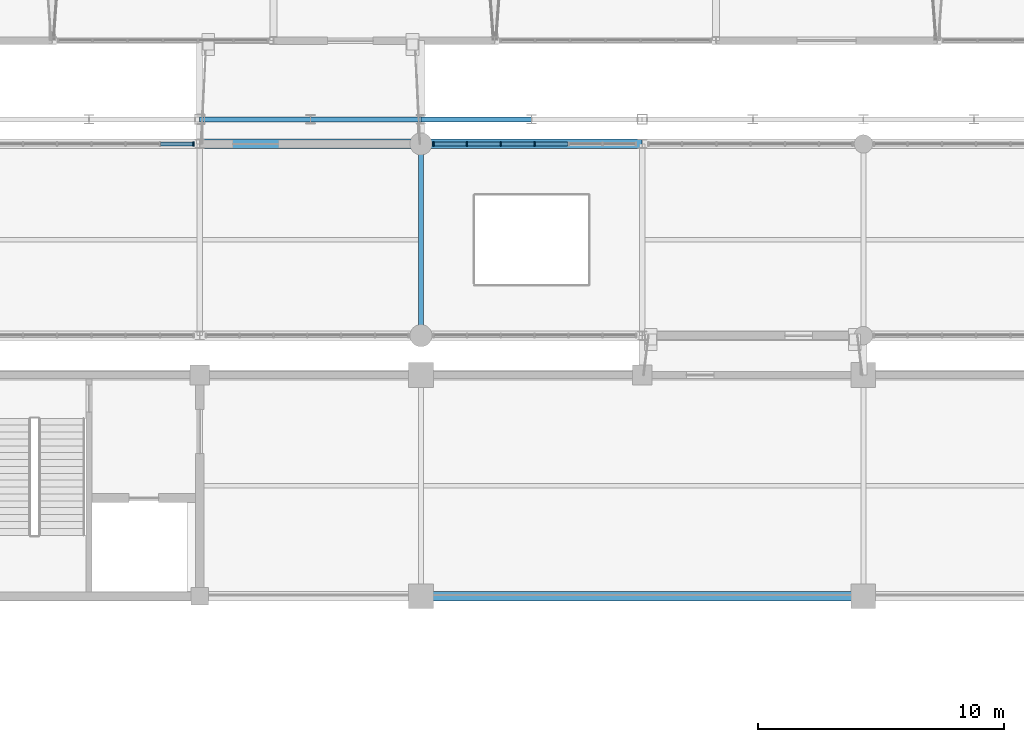
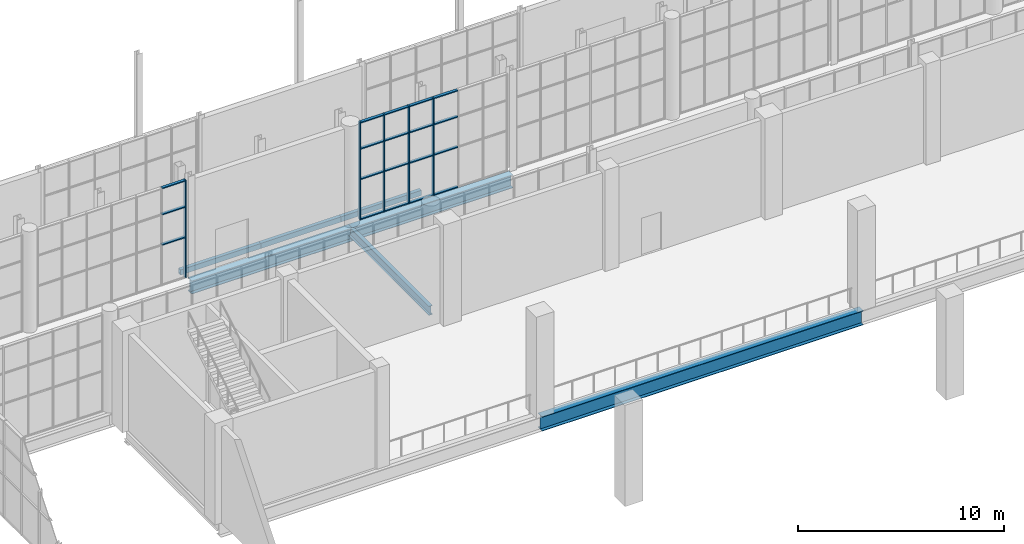
# One storey, part 41 of 159: 24 members, 7 beams, 2 elements without a shape of their own.
"""IFC4 building model written with IfcOpenShell, lengths in metres."""

from ifc_helpers import new_model, si_unit, direction, frame, origin, origin_2d, place, context, subcontext, project, spatial, rectangle, hollow_rectangle, i_section, extrude, material, layer, layer_set, material_profile, profile_set, type_object, element, aggregate, save


model = new_model("IFC4")

# Units and contexts
model_context = context("Model", 3, precision=1e-05, world=origin(), true_north=direction((0.0, 1.0)))
body_context = subcontext(model_context, "Body", "Model", "MODEL_VIEW")
ifc_project = project(units=[si_unit("LENGTHUNIT", "METRE"), si_unit("AREAUNIT", "SQUARE_METRE"), si_unit("VOLUMEUNIT", "CUBIC_METRE"), si_unit("PLANEANGLEUNIT", "RADIAN"), si_unit("MASSUNIT", "GRAM", prefix="KILO")], contexts=[model_context])

# Site, building, storey
site_placement = place(None, origin())
site = spatial("IfcSite", under=ifc_project, at=site_placement, CompositionType="ELEMENT")
building_placement = place(site_placement, origin())
building = spatial("IfcBuilding", under=site, at=building_placement, Name="Cazmaro Siding Exhibition Halls", CompositionType="ELEMENT")
storey_placement = place(building_placement, frame((0.0, 0.0, 6.0)))
storey = spatial("IfcBuildingStorey", under=building, at=storey_placement, Name="L01", CompositionType="ELEMENT", Elevation=6.0)

# Beam
ifc_material_1 = material(Name="Steel ASTM A992 Grade 50", Category="steel")
ifc_material_profile_1 = material_profile(ifc_material_1, i_section(OverallWidth=0.2099609375, OverallDepth=0.535888671875, WebThickness=0.010986328125, FlangeThickness=0.01708984375, at=origin_2d()), Name="W21X68")
ifc_profile_set_1 = profile_set([ifc_material_profile_1], Name="Steel ASTM A992 Grade 50")
beam_type_1 = type_object("IfcBeamType", Name="B-02", PredefinedType="BEAM", material=ifc_profile_set_1)
beam_1_placement = place(storey_placement, frame((90.0, 55.199951171875, -0.488037109375), z_axis=(0.0, 1.0, 0.0), x_axis=(-1.0, 0.0, 0.0)))
element("IfcBeam", 1, at=beam_1_placement, inside=storey, type_object=beam_type_1, Name="Beam B-02 BM-1702", PredefinedType="BEAM", context=body_context, shape_type="SweptSolid", body=[
    extrude(i_section(OverallWidth=0.2099609375, OverallDepth=0.535888671875, WebThickness=0.010986328125, FlangeThickness=0.01708984375, at=origin_2d()), origin(), (0.0, 0.0, 1.0), 7.800048828125),
])

# Curtain wall, member
ifc_material_2 = material(Name="Anodized Bronze Aluminum and Solar-Control Low-E Glazing", Category="aluminium")
ifc_layer = layer(ifc_material_2, 0.179931640625)
ifc_layer_set = layer_set([ifc_layer], Name="Anodized Bronze Aluminum and Solar-Control Low-E Glazing")
curtain_wall_type = type_object("IfcCurtainWallType", Name="CWS-01", PredefinedType="USERDEFINED", material=ifc_layer_set)
curtain_wall_1_placement = place(storey_placement, origin())
curtain_wall_1 = element("IfcCurtainWall", 2, at=curtain_wall_1_placement, inside=storey, type_object=curtain_wall_type, Name="Glazed Curtain Wall CWS-01 CW-165", ObjectType="GLAZED CURTAIN WALL", PredefinedType="USERDEFINED")
ifc_material_3 = material(Name="Anodized Bronze Extruded Aluminum", Category="aluminium")
ifc_material_profile_2 = material_profile(ifc_material_3, rectangle(XDim=0.179931640625, YDim=0.06005859375, at=origin_2d()), Name="CWM-01")
ifc_profile_set_2 = profile_set([ifc_material_profile_2], Name="Anodized Bronze Extruded Aluminum")
member_type_1 = type_object("IfcMemberType", Name="CWM-01", PredefinedType="MULLION", material=ifc_profile_set_2)
member_1_placement = place(storey_placement, frame((80.739990234375, 63.0, 0.0), z_axis=(0.0, 0.0, 1.0), x_axis=(0.0, -1.0, 0.0)))
member_1 = element("IfcMember", 3, at=member_1_placement, type_object=member_type_1, Name="CWS-01 mullion 1", PredefinedType="MULLION", context=body_context, shape_type="SweptSolid", body=[
    extrude(rectangle(XDim=0.179931640625, YDim=0.06005859375, at=origin_2d()), origin(), (0.0, 0.0, 1.0), 5.780029296875),
])

# Curtain wall, members
curtain_wall_2_placement = place(storey_placement, origin())
curtain_wall_2 = element("IfcCurtainWall", 4, at=curtain_wall_2_placement, inside=storey, type_object=curtain_wall_type, Name="Glazed Curtain Wall CWS-01 CW-174", ObjectType="GLAZED CURTAIN WALL", PredefinedType="USERDEFINED")
member_2_placement = place(storey_placement, frame((94.62646484375, 63.0, 0.0), z_axis=(0.0, 0.0, 1.0), x_axis=(0.0, -1.0, 0.0)))
member_2 = element("IfcMember", 5, at=member_2_placement, type_object=member_type_1, Name="CWS-01 mullion 4", PredefinedType="MULLION", context=body_context, shape_type="SweptSolid", body=[
    extrude(rectangle(XDim=0.179931640625, YDim=0.06005859375, at=origin_2d()), origin(), (0.0, 0.0, 1.0), 5.780029296875),
])
member_3_placement = place(storey_placement, frame((93.245361328125, 63.0, 0.0), z_axis=(0.0, 0.0, 1.0), x_axis=(0.0, -1.0, 0.0)))
member_3 = element("IfcMember", 6, at=member_3_placement, type_object=member_type_1, Name="CWS-01 mullion 5", PredefinedType="MULLION", context=body_context, shape_type="SweptSolid", body=[
    extrude(rectangle(XDim=0.179931640625, YDim=0.06005859375, at=origin_2d()), origin(), (0.0, 0.0, 1.0), 5.780029296875),
])
member_4_placement = place(storey_placement, frame((91.8642578125, 63.0, 0.0), z_axis=(0.0, 0.0, 1.0), x_axis=(0.0, -1.0, 0.0)))
member_4 = element("IfcMember", 7, at=member_4_placement, type_object=member_type_1, Name="CWS-01 mullion 6", PredefinedType="MULLION", context=body_context, shape_type="SweptSolid", body=[
    extrude(rectangle(XDim=0.179931640625, YDim=0.06005859375, at=origin_2d()), origin(), (0.0, 0.0, 1.0), 5.780029296875),
])
member_5_placement = place(storey_placement, frame((90.512939453125, 63.0, 0.0), z_axis=(0.0, 0.0, 1.0), x_axis=(0.0, -1.0, 0.0)))
member_5 = element("IfcMember", 8, at=member_5_placement, type_object=member_type_1, Name="CWS-01 mullion 7", PredefinedType="MULLION", context=body_context, shape_type="SweptSolid", body=[
    extrude(rectangle(XDim=0.179931640625, YDim=0.06005859375, at=origin_2d()), origin(), (0.0, 0.0, 1.0), 5.780029296875),
])

# Member
ifc_material_4 = material(Name="Anodized Bronze Extruded Aluminum", Category="aluminium")
ifc_material_profile_3 = material_profile(ifc_material_4, rectangle(XDim=0.159912109375, YDim=0.06005859375, at=origin_2d()), Name="CWT-01")
ifc_profile_set_3 = profile_set([ifc_material_profile_3], Name="Anodized Bronze Extruded Aluminum")
member_type_2 = type_object("IfcMemberType", Name="CWT-01", PredefinedType="MULLION", material=ifc_profile_set_3)
member_6_placement = place(storey_placement, frame((80.7099609375, 63.0, 2.39990234375), z_axis=(-1.0, 0.0, 0.0), x_axis=(0.0, -1.0, 0.0)))
member_6 = element("IfcMember", 9, at=member_6_placement, type_object=member_type_2, Name="CWS-01 transom 1.2", ObjectType="TRANSOM", PredefinedType="USERDEFINED", context=body_context, shape_type="SweptSolid", body=[
    extrude(rectangle(XDim=0.159912109375, YDim=0.06005859375, at=origin_2d()), origin(), (0.0, 0.0, 1.0), 1.3037109375),
])

member_7_placement = place(storey_placement, frame((80.7099609375, 63.0, 4.199951171875), z_axis=(-1.0, 0.0, 0.0), x_axis=(0.0, -1.0, 0.0)))
member_7 = element("IfcMember", 10, at=member_7_placement, type_object=member_type_2, Name="CWS-01 transom 1.3", ObjectType="TRANSOM", PredefinedType="USERDEFINED", context=body_context, shape_type="SweptSolid", body=[
    extrude(rectangle(XDim=0.159912109375, YDim=0.06005859375, at=origin_2d()), origin(), (0.0, 0.0, 1.0), 1.3037109375),
])

member_8_placement = place(storey_placement, frame((80.7099609375, 63.0, 5.75), z_axis=(-1.0, 0.0, 0.0), x_axis=(0.0, -1.0, 0.0)))
member_8 = element("IfcMember", 11, at=member_8_placement, type_object=member_type_2, Name="CWS-01 transom 1.4", ObjectType="TRANSOM", PredefinedType="USERDEFINED", context=body_context, shape_type="SweptSolid", body=[
    extrude(rectangle(XDim=0.159912109375, YDim=0.06005859375, at=origin_2d()), origin(), (0.0, 0.0, 1.0), 1.3037109375),
])

aggregate(curtain_wall_1, [member_1, member_6, member_7, member_8])

member_9_placement = place(storey_placement, frame((95.977783203125, 63.0, 0.030029296875), z_axis=(-1.0, 0.0, 0.0), x_axis=(0.0, -1.0, 0.0)))
member_9 = element("IfcMember", 12, at=member_9_placement, type_object=member_type_2, Name="CWS-01 transom 3.1", ObjectType="TRANSOM", PredefinedType="USERDEFINED", context=body_context, shape_type="SweptSolid", body=[
    extrude(rectangle(XDim=0.159912109375, YDim=0.06005859375, at=origin_2d()), origin(), (0.0, 0.0, 1.0), 1.3212890625),
])

member_10_placement = place(storey_placement, frame((95.977783203125, 63.0, 2.39990234375), z_axis=(-1.0, 0.0, 0.0), x_axis=(0.0, -1.0, 0.0)))
member_10 = element("IfcMember", 13, at=member_10_placement, type_object=member_type_2, Name="CWS-01 transom 3.2", ObjectType="TRANSOM", PredefinedType="USERDEFINED", context=body_context, shape_type="SweptSolid", body=[
    extrude(rectangle(XDim=0.159912109375, YDim=0.06005859375, at=origin_2d()), origin(), (0.0, 0.0, 1.0), 1.3212890625),
])

member_11_placement = place(storey_placement, frame((95.977783203125, 63.0, 4.199951171875), z_axis=(-1.0, 0.0, 0.0), x_axis=(0.0, -1.0, 0.0)))
member_11 = element("IfcMember", 14, at=member_11_placement, type_object=member_type_2, Name="CWS-01 transom 3.3", ObjectType="TRANSOM", PredefinedType="USERDEFINED", context=body_context, shape_type="SweptSolid", body=[
    extrude(rectangle(XDim=0.159912109375, YDim=0.06005859375, at=origin_2d()), origin(), (0.0, 0.0, 1.0), 1.3212890625),
])

member_12_placement = place(storey_placement, frame((95.977783203125, 63.0, 5.75), z_axis=(-1.0, 0.0, 0.0), x_axis=(0.0, -1.0, 0.0)))
member_12 = element("IfcMember", 15, at=member_12_placement, type_object=member_type_2, Name="CWS-01 transom 3.4", ObjectType="TRANSOM", PredefinedType="USERDEFINED", context=body_context, shape_type="SweptSolid", body=[
    extrude(rectangle(XDim=0.159912109375, YDim=0.06005859375, at=origin_2d()), origin(), (0.0, 0.0, 1.0), 1.3212890625),
])

member_13_placement = place(storey_placement, frame((94.596435546875, 63.0, 0.030029296875), z_axis=(-1.0, 0.0, 0.0), x_axis=(0.0, -1.0, 0.0)))
member_13 = element("IfcMember", 16, at=member_13_placement, type_object=member_type_2, Name="CWS-01 transom 4.1", ObjectType="TRANSOM", PredefinedType="USERDEFINED", context=body_context, shape_type="SweptSolid", body=[
    extrude(rectangle(XDim=0.159912109375, YDim=0.06005859375, at=origin_2d()), origin(), (0.0, 0.0, 1.0), 1.321044921875),
])

member_14_placement = place(storey_placement, frame((94.596435546875, 63.0, 2.39990234375), z_axis=(-1.0, 0.0, 0.0), x_axis=(0.0, -1.0, 0.0)))
member_14 = element("IfcMember", 17, at=member_14_placement, type_object=member_type_2, Name="CWS-01 transom 4.2", ObjectType="TRANSOM", PredefinedType="USERDEFINED", context=body_context, shape_type="SweptSolid", body=[
    extrude(rectangle(XDim=0.159912109375, YDim=0.06005859375, at=origin_2d()), origin(), (0.0, 0.0, 1.0), 1.321044921875),
])

member_15_placement = place(storey_placement, frame((94.596435546875, 63.0, 4.199951171875), z_axis=(-1.0, 0.0, 0.0), x_axis=(0.0, -1.0, 0.0)))
member_15 = element("IfcMember", 18, at=member_15_placement, type_object=member_type_2, Name="CWS-01 transom 4.3", ObjectType="TRANSOM", PredefinedType="USERDEFINED", context=body_context, shape_type="SweptSolid", body=[
    extrude(rectangle(XDim=0.159912109375, YDim=0.06005859375, at=origin_2d()), origin(), (0.0, 0.0, 1.0), 1.321044921875),
])

member_16_placement = place(storey_placement, frame((94.596435546875, 63.0, 5.75), z_axis=(-1.0, 0.0, 0.0), x_axis=(0.0, -1.0, 0.0)))
member_16 = element("IfcMember", 19, at=member_16_placement, type_object=member_type_2, Name="CWS-01 transom 4.4", ObjectType="TRANSOM", PredefinedType="USERDEFINED", context=body_context, shape_type="SweptSolid", body=[
    extrude(rectangle(XDim=0.159912109375, YDim=0.06005859375, at=origin_2d()), origin(), (0.0, 0.0, 1.0), 1.321044921875),
])

member_17_placement = place(storey_placement, frame((93.21533203125, 63.0, 0.030029296875), z_axis=(-1.0, 0.0, 0.0), x_axis=(0.0, -1.0, 0.0)))
member_17 = element("IfcMember", 20, at=member_17_placement, type_object=member_type_2, Name="CWS-01 transom 5.1", ObjectType="TRANSOM", PredefinedType="USERDEFINED", context=body_context, shape_type="SweptSolid", body=[
    extrude(rectangle(XDim=0.159912109375, YDim=0.06005859375, at=origin_2d()), origin(), (0.0, 0.0, 1.0), 1.321044921875),
])

member_18_placement = place(storey_placement, frame((93.21533203125, 63.0, 2.39990234375), z_axis=(-1.0, 0.0, 0.0), x_axis=(0.0, -1.0, 0.0)))
member_18 = element("IfcMember", 21, at=member_18_placement, type_object=member_type_2, Name="CWS-01 transom 5.2", ObjectType="TRANSOM", PredefinedType="USERDEFINED", context=body_context, shape_type="SweptSolid", body=[
    extrude(rectangle(XDim=0.159912109375, YDim=0.06005859375, at=origin_2d()), origin(), (0.0, 0.0, 1.0), 1.321044921875),
])

member_19_placement = place(storey_placement, frame((93.21533203125, 63.0, 4.199951171875), z_axis=(-1.0, 0.0, 0.0), x_axis=(0.0, -1.0, 0.0)))
member_19 = element("IfcMember", 22, at=member_19_placement, type_object=member_type_2, Name="CWS-01 transom 5.3", ObjectType="TRANSOM", PredefinedType="USERDEFINED", context=body_context, shape_type="SweptSolid", body=[
    extrude(rectangle(XDim=0.159912109375, YDim=0.06005859375, at=origin_2d()), origin(), (0.0, 0.0, 1.0), 1.321044921875),
])

member_20_placement = place(storey_placement, frame((93.21533203125, 63.0, 5.75), z_axis=(-1.0, 0.0, 0.0), x_axis=(0.0, -1.0, 0.0)))
member_20 = element("IfcMember", 23, at=member_20_placement, type_object=member_type_2, Name="CWS-01 transom 5.4", ObjectType="TRANSOM", PredefinedType="USERDEFINED", context=body_context, shape_type="SweptSolid", body=[
    extrude(rectangle(XDim=0.159912109375, YDim=0.06005859375, at=origin_2d()), origin(), (0.0, 0.0, 1.0), 1.321044921875),
])

member_21_placement = place(storey_placement, frame((91.834228515625, 63.0, 0.030029296875), z_axis=(-1.0, 0.0, 0.0), x_axis=(0.0, -1.0, 0.0)))
member_21 = element("IfcMember", 24, at=member_21_placement, type_object=member_type_2, Name="CWS-01 transom 6.1", ObjectType="TRANSOM", PredefinedType="USERDEFINED", context=body_context, shape_type="SweptSolid", body=[
    extrude(rectangle(XDim=0.159912109375, YDim=0.06005859375, at=origin_2d()), origin(), (0.0, 0.0, 1.0), 1.291259765625),
])

member_22_placement = place(storey_placement, frame((91.834228515625, 63.0, 2.39990234375), z_axis=(-1.0, 0.0, 0.0), x_axis=(0.0, -1.0, 0.0)))
member_22 = element("IfcMember", 25, at=member_22_placement, type_object=member_type_2, Name="CWS-01 transom 6.2", ObjectType="TRANSOM", PredefinedType="USERDEFINED", context=body_context, shape_type="SweptSolid", body=[
    extrude(rectangle(XDim=0.159912109375, YDim=0.06005859375, at=origin_2d()), origin(), (0.0, 0.0, 1.0), 1.291259765625),
])

member_23_placement = place(storey_placement, frame((91.834228515625, 63.0, 4.199951171875), z_axis=(-1.0, 0.0, 0.0), x_axis=(0.0, -1.0, 0.0)))
member_23 = element("IfcMember", 26, at=member_23_placement, type_object=member_type_2, Name="CWS-01 transom 6.3", ObjectType="TRANSOM", PredefinedType="USERDEFINED", context=body_context, shape_type="SweptSolid", body=[
    extrude(rectangle(XDim=0.159912109375, YDim=0.06005859375, at=origin_2d()), origin(), (0.0, 0.0, 1.0), 1.291259765625),
])

member_24_placement = place(storey_placement, frame((91.834228515625, 63.0, 5.75), z_axis=(-1.0, 0.0, 0.0), x_axis=(0.0, -1.0, 0.0)))
member_24 = element("IfcMember", 27, at=member_24_placement, type_object=member_type_2, Name="CWS-01 transom 6.4", ObjectType="TRANSOM", PredefinedType="USERDEFINED", context=body_context, shape_type="SweptSolid", body=[
    extrude(rectangle(XDim=0.159912109375, YDim=0.06005859375, at=origin_2d()), origin(), (0.0, 0.0, 1.0), 1.291259765625),
])

aggregate(curtain_wall_2, [member_2, member_3, member_4, member_5, member_9, member_10, member_11, member_12, member_13, member_14, member_15, member_16, member_17, member_18, member_19, member_20, member_21, member_22, member_23, member_24])

# Beams
ifc_material_5 = material(Name="Steel ASTM A992 Grade 50", Category="steel")
ifc_material_profile_4 = material_profile(ifc_material_5, i_section(OverallWidth=0.381103515625, OverallDepth=0.779052734375, WebThickness=0.01806640625, FlangeThickness=0.030029296875, at=origin_2d()), Name="W30X191")
ifc_profile_set_4 = profile_set([ifc_material_profile_4], Name="Steel ASTM A992 Grade 50")
beam_type_2 = type_object("IfcBeamType", Name="G-04", PredefinedType="USERDEFINED", material=ifc_profile_set_4)
for number, where, z_axis, x_axis, name in (
    (28, (81.0, 63.0, -0.60888671875), (1.0, 0.0, 0.0), (0.0, 1.0, 0.0), "Beam G-04 BM-1611"),
    (29, (90.0, 63.0, -0.60888671875), (1.0, 0.0, 0.0), (0.0, 1.0, 0.0), "Beam G-04 BM-1620"),
):
    element("IfcBeam", number, at=place(storey_placement, frame(where, z_axis=z_axis, x_axis=x_axis)), inside=storey, type_object=beam_type_2, Name=name, ObjectType="GIRDER", PredefinedType="USERDEFINED", context=body_context, shape_type="SweptSolid", body=[
        extrude(i_section(OverallWidth=0.381103515625, OverallDepth=0.779052734375, WebThickness=0.01806640625, FlangeThickness=0.030029296875, at=origin_2d()), origin(), (0.0, 0.0, 1.0), 9.0),
    ])
ifc_material_6 = material(Name="Steel ASTM A992 Grade 50", Category="steel")
ifc_material_profile_5 = material_profile(ifc_material_6, i_section(OverallWidth=0.40087890625, OverallDepth=0.85595703125, WebThickness=0.01806640625, FlangeThickness=0.029052734375, at=origin_2d()), Name="W33X201")
ifc_profile_set_5 = profile_set([ifc_material_profile_5], Name="Steel ASTM A992 Grade 50")
beam_type_3 = type_object("IfcBeamType", Name="G-09", PredefinedType="USERDEFINED", material=ifc_profile_set_5)
beam_2_placement = place(storey_placement, frame((90.0, 44.60009765625, -0.677978515625), z_axis=(1.0, 0.0, 0.0), x_axis=(0.0, 1.0, 0.0)))
element("IfcBeam", 30, at=beam_2_placement, inside=storey, type_object=beam_type_3, Name="Beam G-09 BM-1239", ObjectType="GIRDER", PredefinedType="USERDEFINED", context=body_context, shape_type="SweptSolid", body=[
    extrude(i_section(OverallWidth=0.40087890625, OverallDepth=0.85595703125, WebThickness=0.01806640625, FlangeThickness=0.029052734375, at=origin_2d()), origin(), (0.0, 0.0, 1.0), 18.0),
])
ifc_material_7 = material(Name="Steel ASTM A500 Grade C", Category="steel")
ifc_material_profile_6 = material_profile(ifc_material_7, hollow_rectangle(XDim=0.202880859375, YDim=0.304931640625, WallThickness=0.011962890625, at=origin_2d()), Name="HSS12X8X1/2")
ifc_profile_set_6 = profile_set([ifc_material_profile_6], Name="Steel ASTM A500 Grade C")
beam_type_4 = type_object("IfcBeamType", Name="SP-01", PredefinedType="SPANDREL", material=ifc_profile_set_6)
for number, where, z_axis, x_axis, name in (
    (31, (81.0, 64.0, -0.3720703125), (1.0, 0.0, 0.0), (0.0, 1.0, 0.0), "Beam SP-01 BM-0109"),
    (32, (85.5, 64.0, -0.3720703125), (1.0, 0.0, 0.0), (0.0, 1.0, 0.0), "Beam SP-01 BM-0115"),
    (33, (90.0, 64.0, -0.3720703125), (1.0, 0.0, 0.0), (0.0, 1.0, 0.0), "Beam SP-01 BM-0121"),
):
    element("IfcBeam", number, at=place(storey_placement, frame(where, z_axis=z_axis, x_axis=x_axis)), inside=storey, type_object=beam_type_4, Name=name, PredefinedType="SPANDREL", context=body_context, shape_type="SweptSolid", body=[
        extrude(hollow_rectangle(XDim=0.202880859375, YDim=0.304931640625, WallThickness=0.011962890625, at=origin_2d()), origin(), (0.0, 0.0, 1.0), 4.5),
    ])

save(model, "model.ifc")
